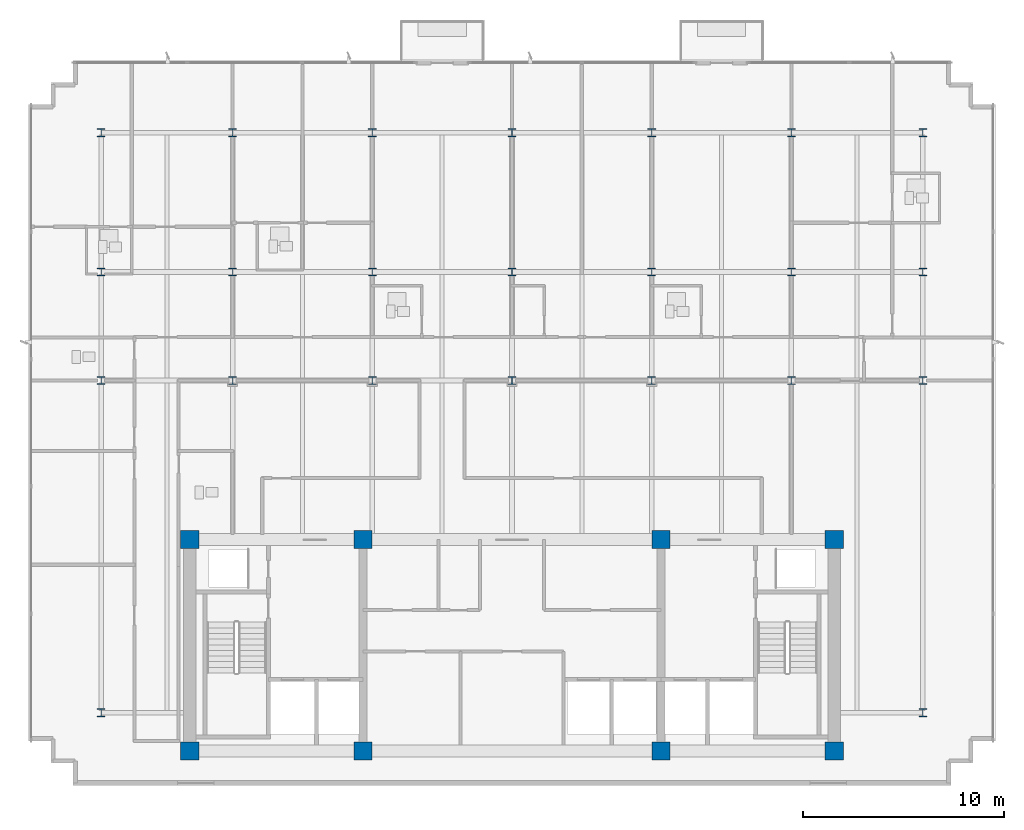
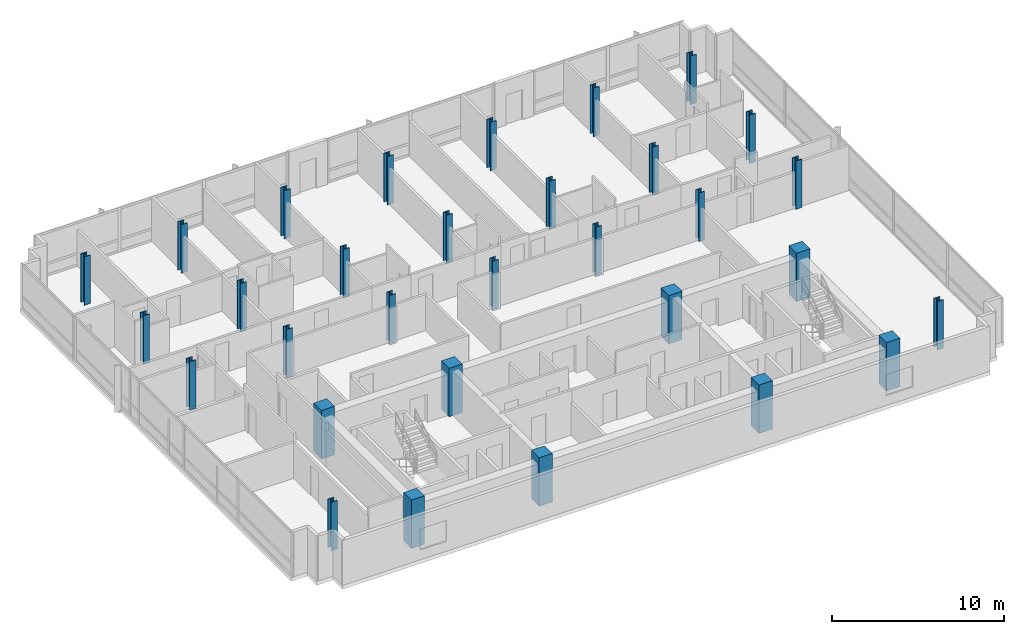
# One storey, part 1 of 14: 31 columns.
"""IFC4 building model written with IfcOpenShell, lengths in metres."""

from ifc_helpers import new_model, si_unit, direction, frame, origin, origin_2d, place, context, subcontext, project, spatial, rectangle, i_section, extrude, material, material_profile, profile_set, type_object, element, save


model = new_model("IFC4")

# Units and contexts
model_context = context("Model", 3, precision=1e-05, world=origin(), true_north=direction((0.0, 1.0)))
body_context = subcontext(model_context, "Body", "Model", "MODEL_VIEW")
ifc_project = project(units=[si_unit("LENGTHUNIT", "METRE"), si_unit("AREAUNIT", "SQUARE_METRE"), si_unit("VOLUMEUNIT", "CUBIC_METRE"), si_unit("PLANEANGLEUNIT", "RADIAN"), si_unit("MASSUNIT", "GRAM", prefix="KILO")], contexts=[model_context])

# Site, building, storey
site_placement = place(None, origin())
site = spatial("IfcSite", under=ifc_project, at=site_placement, CompositionType="ELEMENT")
building_placement = place(site_placement, origin())
building = spatial("IfcBuilding", under=site, at=building_placement, Name="Solmavex Isthmus Hotel", CompositionType="ELEMENT")
storey_placement = place(building_placement, frame((0.0, 0.0, 248.85009765625)))
storey = spatial("IfcBuildingStorey", under=building, at=storey_placement, Name="L67", CompositionType="ELEMENT", Elevation=248.85009765625)

# Columns
ifc_material_1 = material(Name="Concrete C50/60", Category="concrete")
ifc_material_profile_1 = material_profile(ifc_material_1, rectangle(XDim=0.89990234375, YDim=0.89990234375, at=origin_2d()), Name="RC900X900")
ifc_profile_set_1 = profile_set([ifc_material_profile_1], Name="Concrete C50/60")
column_type_1 = type_object("IfcColumnType", Name="COL-CC-900", PredefinedType="COLUMN", material=ifc_profile_set_1)
for number, where, z_axis, x_axis, name in (
    (1, (-16.0, -13.0, 0.0), (0.0, 0.0, 1.0), (1.0, 0.0, 0.0), "Core Pilaster CC-SW L67"),
    (2, (-7.39990234375, -13.0, 0.0), (0.0, 0.0, 1.0), (1.0, 0.0, 0.0), "Core Pilaster CC-S1 L67"),
    (3, (7.39990234375, -13.0, 0.0), (0.0, 0.0, 1.0), (1.0, 0.0, 0.0), "Core Pilaster CC-S2 L67"),
    (4, (16.0, -13.0, 0.0), (0.0, 0.0, 1.0), (1.0, 0.0, 0.0), "Core Pilaster CC-SE L67"),
    (5, (-16.0, -2.5, 0.0), (0.0, 0.0, 1.0), (1.0, 0.0, 0.0), "Core Pilaster CC-NW L67"),
    (6, (-7.39990234375, -2.5, 0.0), (0.0, 0.0, 1.0), (1.0, 0.0, 0.0), "Core Pilaster CC-N1 L67"),
    (7, (7.39990234375, -2.5, 0.0), (0.0, 0.0, 1.0), (1.0, 0.0, 0.0), "Core Pilaster CC-N2 L67"),
    (8, (16.0, -2.5, 0.0), (0.0, 0.0, 1.0), (1.0, 0.0, 0.0), "Core Pilaster CC-NE L67"),
):
    element("IfcColumn", number, at=place(storey_placement, frame(where, z_axis=z_axis, x_axis=x_axis)), inside=storey, type_object=column_type_1, Name=name, PredefinedType="COLUMN", context=body_context, shape_type="SweptSolid", body=[
        extrude(rectangle(XDim=0.89990234375, YDim=0.89990234375, at=origin_2d()), origin(), (0.0, 0.0, 1.0), 3.449951171875),
    ])
ifc_material_2 = material(Name="Steel ASTM A913 Grade 65", Category="steel")
ifc_material_profile_2 = material_profile(ifc_material_2, i_section(OverallWidth=0.4013671875, OverallDepth=0.3994140625, WebThickness=0.02490234375, FlangeThickness=0.03955078125, FilletRadius=0.030517578125, at=origin_2d()), Name="W14X211")
ifc_profile_set_2 = profile_set([ifc_material_profile_2], Name="Steel ASTM A913 Grade 65")
column_type_2 = type_object("IfcColumnType", Name="COL-SC-W14X211", PredefinedType="COLUMN", material=ifc_profile_set_2)
for number, where, z_axis, x_axis, name in (
    (9, (-13.8720703125, 5.39990234375, 0.0), (0.0, 0.0, 1.0), (1.0, 0.0, 0.0), "Tower Column B5-U2V2 L67"),
    (10, (-13.8720703125, 10.7880859375, 0.0), (0.0, 0.0, 1.0), (1.0, 0.0, 0.0), "Tower Column B5-U2V3 L67"),
    (11, (-6.93603515625, 5.39990234375, 0.0), (0.0, 0.0, 1.0), (1.0, 0.0, 0.0), "Tower Column B5-U3V2 L67"),
    (12, (-6.93603515625, 10.7880859375, 0.0), (0.0, 0.0, 1.0), (1.0, 0.0, 0.0), "Tower Column B5-U3V3 L67"),
    (13, (0.0, 5.39990234375, 0.0), (0.0, 0.0, 1.0), (1.0, 0.0, 0.0), "Tower Column B5-U4V2 L67"),
    (14, (0.0, 10.7880859375, 0.0), (0.0, 0.0, 1.0), (1.0, 0.0, 0.0), "Tower Column B5-U4V3 L67"),
    (15, (6.93603515625, 5.39990234375, 0.0), (0.0, 0.0, 1.0), (1.0, 0.0, 0.0), "Tower Column B5-U5V2 L67"),
    (16, (6.93603515625, 10.7880859375, 0.0), (0.0, 0.0, 1.0), (1.0, 0.0, 0.0), "Tower Column B5-U5V3 L67"),
    (17, (13.8720703125, 5.39990234375, 0.0), (0.0, 0.0, 1.0), (1.0, 0.0, 0.0), "Tower Column B5-U6V2 L67"),
    (18, (13.8720703125, 10.7880859375, 0.0), (0.0, 0.0, 1.0), (1.0, 0.0, 0.0), "Tower Column B5-U6V3 L67"),
):
    element("IfcColumn", number, at=place(storey_placement, frame(where, z_axis=z_axis, x_axis=x_axis)), inside=storey, type_object=column_type_2, Name=name, PredefinedType="COLUMN", context=body_context, shape_type="SweptSolid", body=[
        extrude(i_section(OverallWidth=0.4013671875, OverallDepth=0.3994140625, WebThickness=0.02490234375, FlangeThickness=0.03955078125, FilletRadius=0.030517578125, at=origin_2d()), origin(), (0.0, 0.0, 1.0), 3.449951171875),
    ])
ifc_material_profile_3 = material_profile(ifc_material_2, i_section(OverallWidth=0.40625, OverallDepth=0.416015625, WebThickness=0.02978515625, FlangeThickness=0.048095703125, FilletRadius=0.030517578125, at=origin_2d()), Name="W14X257")
ifc_profile_set_3 = profile_set([ifc_material_profile_3], Name="Steel ASTM A913 Grade 65")
column_type_3 = type_object("IfcColumnType", Name="COL-SC-W14X257", PredefinedType="COLUMN", material=ifc_profile_set_3)
for number, where, z_axis, x_axis, name in (
    (19, (-20.39990234375, -11.10009765625, 0.0), (0.0, 0.0, 1.0), (1.0, 0.0, 0.0), "Tower Column B5-U1V1 L67"),
    (20, (-20.39990234375, 5.39990234375, 0.0), (0.0, 0.0, 1.0), (1.0, 0.0, 0.0), "Tower Column B5-U1V2 L67"),
    (21, (-20.39990234375, 10.7880859375, 0.0), (0.0, 0.0, 1.0), (1.0, 0.0, 0.0), "Tower Column B5-U1V3 L67"),
    (22, (-20.39990234375, 17.699951171875, 0.0), (0.0, 0.0, 1.0), (1.0, 0.0, 0.0), "Tower Column B5-U1V4 L67"),
    (23, (-13.8720703125, 17.699951171875, 0.0), (0.0, 0.0, 1.0), (1.0, 0.0, 0.0), "Tower Column B5-U2V4 L67"),
    (24, (-6.93603515625, 17.699951171875, 0.0), (0.0, 0.0, 1.0), (1.0, 0.0, 0.0), "Tower Column B5-U3V4 L67"),
    (25, (0.0, 17.699951171875, 0.0), (0.0, 0.0, 1.0), (1.0, 0.0, 0.0), "Tower Column B5-U4V4 L67"),
    (26, (6.93603515625, 17.699951171875, 0.0), (0.0, 0.0, 1.0), (1.0, 0.0, 0.0), "Tower Column B5-U5V4 L67"),
    (27, (13.8720703125, 17.699951171875, 0.0), (0.0, 0.0, 1.0), (1.0, 0.0, 0.0), "Tower Column B5-U6V4 L67"),
    (28, (20.39990234375, -11.10009765625, 0.0), (0.0, 0.0, 1.0), (1.0, 0.0, 0.0), "Tower Column B5-U7V1 L67"),
    (29, (20.39990234375, 5.39990234375, 0.0), (0.0, 0.0, 1.0), (1.0, 0.0, 0.0), "Tower Column B5-U7V2 L67"),
    (30, (20.39990234375, 10.7880859375, 0.0), (0.0, 0.0, 1.0), (1.0, 0.0, 0.0), "Tower Column B5-U7V3 L67"),
    (31, (20.39990234375, 17.699951171875, 0.0), (0.0, 0.0, 1.0), (1.0, 0.0, 0.0), "Tower Column B5-U7V4 L67"),
):
    element("IfcColumn", number, at=place(storey_placement, frame(where, z_axis=z_axis, x_axis=x_axis)), inside=storey, type_object=column_type_3, Name=name, PredefinedType="COLUMN", context=body_context, shape_type="SweptSolid", body=[
        extrude(i_section(OverallWidth=0.40625, OverallDepth=0.416015625, WebThickness=0.02978515625, FlangeThickness=0.048095703125, FilletRadius=0.030517578125, at=origin_2d()), origin(), (0.0, 0.0, 1.0), 3.449951171875),
    ])

save(model, "model.ifc")
